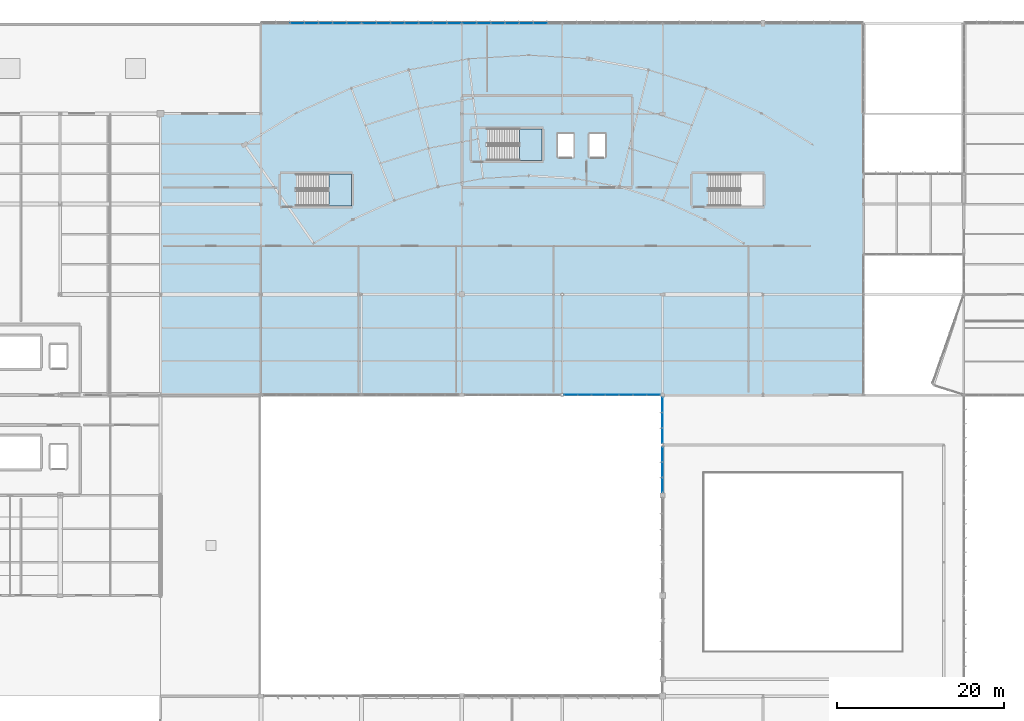
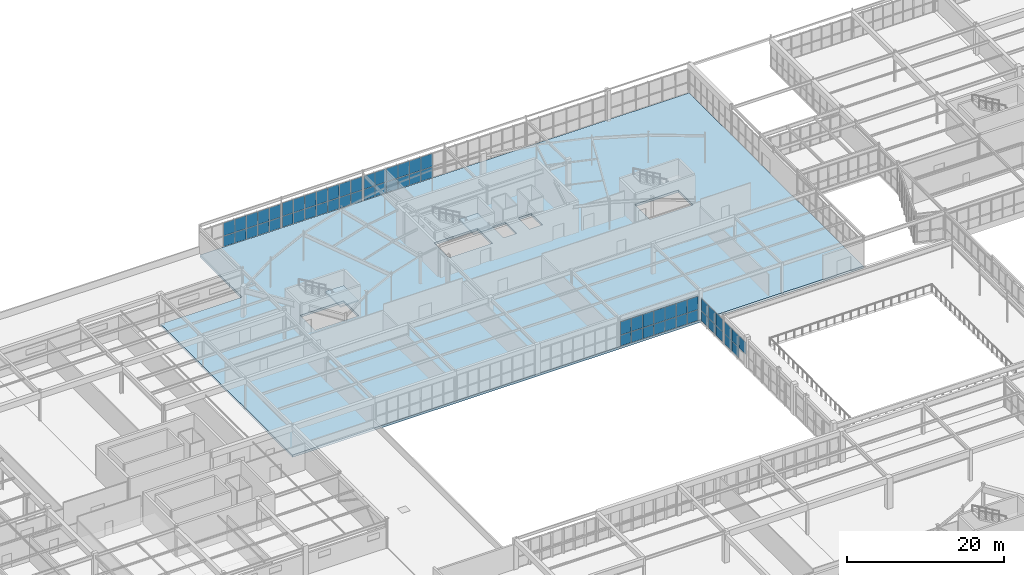
# One storey, part 117 of 186: 61 plates, 3 slabs, 8 elements without a shape of their own.
"""IFC4 building model written with IfcOpenShell, lengths in metres."""

import ifcopenshell
import ifcopenshell.guid

model = None  # the IFC model being written
_history = None  # IfcOwnerHistory: only IFC2X3 demands one
_inside = {}  # id of a spatial element -> (the spatial element, [elements in it])
_under = {}  # id of a project, library or spatial element -> (it, [spatial elements below it])
_declared = {}  # id of a project -> (the project, [libraries it declares])
_typed = {}  # id of a type object -> (the type object, [elements of that type])
_made_of = {}  # id of a material, layer set ... -> (it, [elements and type objects made of it])


def new_model(schema):
    """Start an empty IFC model of exactly this schema.

    Asked for "IFC4X3", IfcOpenShell would pick the latest addendum, in which some entities
    have other attributes; the version numbers below select the first issue.
    IFC2X3 requires an IfcOwnerHistory on every rooted entity: one is made here for all.
    """
    global model, _history
    if schema == "IFC4X3":
        model = ifcopenshell.file(schema_version=(4, 3, 0, 0))
    else:
        model = ifcopenshell.file(schema=schema)
    _inside.clear()
    _under.clear()
    _declared.clear()
    _typed.clear()
    _made_of.clear()
    _history = None
    if model.schema == "IFC2X3":
        org = make("IfcOrganization", Name="unknown")
        user = make(
            "IfcPersonAndOrganization",
            ThePerson=make("IfcPerson", FamilyName="unknown"),
            TheOrganization=org,
        )
        app = make(
            "IfcApplication",
            ApplicationDeveloper=org,
            Version="unknown",
            ApplicationFullName="unknown",
            ApplicationIdentifier="unknown",
        )
        _history = make(
            "IfcOwnerHistory",
            OwningUser=user,
            OwningApplication=app,
            ChangeAction="ADDED",
            CreationDate=0,
        )
    return model


def make(cls, **values):
    """One entity of the class cls with the attributes given. An attribute that is None is left unset."""
    return model.create_entity(
        cls, **{name: value for name, value in values.items() if value is not None}
    )


def rooted(cls, **values):
    """An entity with a GlobalId (a new one), such as an element, a storey or a relation."""
    return make(cls, GlobalId=ifcopenshell.guid.new(), OwnerHistory=_history, **values)


def si_unit(unit_type, name, prefix=None):
    """IfcSIUnit, for example si_unit("LENGTHUNIT", "METRE", prefix="MILLI")."""
    return make("IfcSIUnit", UnitType=unit_type, Prefix=prefix, Name=name)


def assignment(units):
    """IfcUnitAssignment: the units of a project."""
    return None if units is None else make("IfcUnitAssignment", Units=units)


def point(xyz):
    """IfcCartesianPoint."""
    return None if xyz is None else make("IfcCartesianPoint", Coordinates=xyz)


def direction(xyz):
    """IfcDirection."""
    return None if xyz is None else make("IfcDirection", DirectionRatios=xyz)


def frame(location, z_axis=None, x_axis=None):
    """IfcAxis2Placement3D, a coordinate frame: its origin and axes. An axis left out is left unset."""
    return make(
        "IfcAxis2Placement3D",
        Location=point(location),
        Axis=direction(z_axis),
        RefDirection=direction(x_axis),
    )


def frame_2d(location, x_axis=None):
    """IfcAxis2Placement2D, a coordinate frame in the plane: its origin and x axis."""
    return make(
        "IfcAxis2Placement2D", Location=point(location), RefDirection=direction(x_axis)
    )


def origin():
    """The frame at (0, 0, 0) with its axes left unset."""
    return frame((0.0, 0.0, 0.0))


def origin_2d():
    """The frame at (0, 0) in the plane with its x axis left unset."""
    return frame_2d((0.0, 0.0))


def place(relative_to, where):
    """IfcLocalPlacement: puts the frame where relative to a parent placement (None: the world)."""
    return make(
        "IfcLocalPlacement", PlacementRelTo=relative_to, RelativePlacement=where
    )


def context(
    kind, dimensions, precision=None, world=None, true_north=None, identifier=None
):
    """IfcGeometricRepresentationContext, for example the 3D "Model" context."""
    return make(
        "IfcGeometricRepresentationContext",
        ContextIdentifier=identifier,
        ContextType=kind,
        CoordinateSpaceDimension=dimensions,
        Precision=precision,
        WorldCoordinateSystem=world,
        TrueNorth=true_north,
    )


def subcontext(parent, identifier, kind, view, scale=None):
    """IfcGeometricRepresentationSubContext, for example "Body" below "Model"."""
    return make(
        "IfcGeometricRepresentationSubContext",
        ContextIdentifier=identifier,
        ContextType=kind,
        ParentContext=parent,
        TargetScale=scale,
        TargetView=view,
    )


def project(units=None, contexts=None):
    """IfcProject with its units and contexts."""
    return rooted(
        "IfcProject",
        Name="project",
        RepresentationContexts=contexts,
        UnitsInContext=assignment(units),
    )


def spatial(cls, under=None, at=None, **own):
    """A site, building, storey or space (cls), placed at a placement, below another one or the project."""
    s = rooted(cls, ObjectPlacement=at, **own)
    if under is not None:
        _under.setdefault(under.id(), (under, []))[1].append(s)
    return s


def polyline(points):
    """IfcPolyline through the points."""
    return make("IfcPolyline", Points=[point(p) for p in points])


def profile(cls, at=None, kind="AREA", **sizes):
    """A parametric profile (cls). Its sizes go by their IFC names, for example OverallWidth=200.0."""
    return make(cls, ProfileType=kind, Position=at, **sizes)


def rectangle(**sizes):
    """IfcRectangleProfileDef."""
    return profile("IfcRectangleProfileDef", **sizes)


def outline(outer, holes=None, kind="AREA"):
    """IfcArbitraryClosedProfileDef: a profile drawn as a closed curve; with holes, ...WithVoids."""
    if holes is None:
        return make("IfcArbitraryClosedProfileDef", ProfileType=kind, OuterCurve=outer)
    return make(
        "IfcArbitraryProfileDefWithVoids",
        ProfileType=kind,
        OuterCurve=outer,
        InnerCurves=holes,
    )


def extrude(swept, where, along, depth):
    """IfcExtrudedAreaSolid: the profile swept, set in the frame where, extruded along a direction by depth."""
    return make(
        "IfcExtrudedAreaSolid",
        SweptArea=swept,
        Position=where,
        ExtrudedDirection=direction(along),
        Depth=depth,
    )


def shape(context_of_items, identifier, shape_type, items):
    """IfcShapeRepresentation: the items that make up one representation, for example the "Body"."""
    return make(
        "IfcShapeRepresentation",
        ContextOfItems=context_of_items,
        RepresentationIdentifier=identifier,
        RepresentationType=shape_type,
        Items=items,
    )


def material(Name=None, Category=None):
    """IfcMaterial."""
    return make("IfcMaterial", Name=Name, Category=Category)


def layer(
    of_material, thickness, ventilated=None, Name=None, Category=None, Priority=None
):
    """IfcMaterialLayer: one layer of a wall or slab, of a material (None: an air gap)."""
    return make(
        "IfcMaterialLayer",
        Material=of_material,
        LayerThickness=thickness,
        IsVentilated=ventilated,
        Name=Name,
        Category=Category,
        Priority=Priority,
    )


def layer_set(layers, Name=None):
    """IfcMaterialLayerSet."""
    return make("IfcMaterialLayerSet", MaterialLayers=layers, LayerSetName=Name)


def made_of(thing, what):
    """Note that an element or type object is made of a material, layer set ...; save() writes the relation."""
    if what is not None:
        _made_of.setdefault(what.id(), (what, []))[1].append(thing)
    return thing


def type_object(cls, material=None, **own):
    """A type object (cls), such as IfcWallType, which elements share."""
    return made_of(rooted(cls, **own), material)


def element(
    cls,
    number,
    at=None,
    inside=None,
    cuts=None,
    type_object=None,
    material=None,
    context=None,
    identifier="Body",
    shape_type=None,
    held_by="IfcProductDefinitionShape",
    body=None,
    shapes=None,
    **own,
):
    """One element of the class cls, such as IfcWall. Its Tag is "e" and its number.

    at: its placement. inside: the storey or other place that contains it. cuts: it is an
    opening in that element (IfcRelVoidsElement). A single representation is given by context,
    identifier, shape_type and body (its items); several are given by shapes. held_by: the class
    of the entity that holds the representations. save() writes the other relations.
    """
    e = rooted(cls, Tag="e%d" % number, ObjectPlacement=at, **own)
    if body is not None:
        shapes = [shape(context, identifier, shape_type, body)]
    if shapes is not None:
        e.Representation = make(held_by, Representations=shapes)
    if inside is not None:
        _inside.setdefault(inside.id(), (inside, []))[1].append(e)
    if cuts is not None:
        rooted(
            "IfcRelVoidsElement", RelatingBuildingElement=cuts, RelatedOpeningElement=e
        )
    if type_object is not None:
        _typed.setdefault(type_object.id(), (type_object, []))[1].append(e)
    return made_of(e, material)


def aggregate(whole, parts):
    """IfcRelAggregates: a whole, such as a stair, and the parts it consists of."""
    return rooted("IfcRelAggregates", RelatingObject=whole, RelatedObjects=parts)


def save(model, path):
    """Write the relations noted so far, then the file.

    IfcRelAggregates (storeys below a building ...), IfcRelContainedInSpatialStructure (elements
    in a storey), IfcRelDefinesByType, IfcRelAssociatesMaterial and IfcRelDeclares: one each for
    every whole, place, type object, material and project.
    """
    for whole, parts in _under.values():
        aggregate(whole, parts)
    for where, things in _inside.values():
        rooted(
            "IfcRelContainedInSpatialStructure",
            RelatedElements=things,
            RelatingStructure=where,
        )
    for kind, things in _typed.values():
        rooted("IfcRelDefinesByType", RelatedObjects=things, RelatingType=kind)
    for what, things in _made_of.values():
        rooted("IfcRelAssociatesMaterial", RelatedObjects=things, RelatingMaterial=what)
    for by, libraries in _declared.values():
        rooted("IfcRelDeclares", RelatingContext=by, RelatedDefinitions=libraries)
    model.write(path)


model = new_model("IFC4")

# Units and contexts
model_context = context("Model", 3, precision=1e-05, world=origin(), true_north=direction((0.0, 1.0)))
body_context = subcontext(model_context, "Body", "Model", "MODEL_VIEW")
ifc_project = project(units=[si_unit("LENGTHUNIT", "METRE"), si_unit("AREAUNIT", "SQUARE_METRE"), si_unit("VOLUMEUNIT", "CUBIC_METRE"), si_unit("PLANEANGLEUNIT", "RADIAN"), si_unit("MASSUNIT", "GRAM", prefix="KILO")], contexts=[model_context])

# Site, building, storey
site_placement = place(None, origin())
site = spatial("IfcSite", under=ifc_project, at=site_placement, CompositionType="ELEMENT")
building_placement = place(site_placement, origin())
building = spatial("IfcBuilding", under=site, at=building_placement, Name="Tarnwether General Hospital", CompositionType="ELEMENT")
storey_placement = place(building_placement, frame((0.0, 0.0, 9.60009765625)))
storey = spatial("IfcBuildingStorey", under=building, at=storey_placement, Name="L02", CompositionType="ELEMENT", Elevation=9.60009765625)

# Curtain wall, plates
ifc_material_1 = material(Name="Anodised aluminium", Category="aluminium")
ifc_layer_1 = layer(ifc_material_1, 0.159912109375)
ifc_layer_set_1 = layer_set([ifc_layer_1], Name="Anodised aluminium")
curtain_wall_type_1 = type_object("IfcCurtainWallType", Name="CW-17", PredefinedType="NOTDEFINED", material=ifc_layer_set_1)
curtain_wall_1_placement = place(storey_placement, origin())
curtain_wall_1 = element("IfcCurtainWall", 1, at=curtain_wall_1_placement, inside=storey, type_object=curtain_wall_type_1, Name="Curtain Wall CWG-L02-601_1260-0403", PredefinedType="NOTDEFINED")
ifc_material_2 = material(Name="Double glazed low-E glass", Category="glass")
ifc_layer_2 = layer(ifc_material_2, 0.028076171875)
ifc_layer_set_2 = layer_set([ifc_layer_2], Name="Double glazed low-E glass")
plate_type = type_object("IfcPlateType", Name="PT-CWP1", PredefinedType="CURTAIN_PANEL", material=ifc_layer_set_2)
plate_1_placement = place(storey_placement, frame((64.32861328125, 126.0, 0.06005859375), z_axis=(0.0, 0.0, 1.0), x_axis=(1.0, 0.0, 0.0)))
plate_1 = element("IfcPlate", 2, at=plate_1_placement, type_object=plate_type, Name="CW-17 panel 3.1", PredefinedType="CURTAIN_PANEL", context=body_context, shape_type="SweptSolid", body=[
    extrude(rectangle(XDim=1.626220703125, YDim=0.028076171875, at=origin_2d()), origin(), (0.0, 0.0, 1.0), 1.625732421875),
])
plate_2_placement = place(storey_placement, frame((64.32861328125, 126.0, 1.74560546875), z_axis=(0.0, 0.0, 1.0), x_axis=(1.0, 0.0, 0.0)))
plate_2 = element("IfcPlate", 3, at=plate_2_placement, type_object=plate_type, Name="CW-17 panel 3.2", PredefinedType="CURTAIN_PANEL", context=body_context, shape_type="SweptSolid", body=[
    extrude(rectangle(XDim=1.626220703125, YDim=0.028076171875, at=origin_2d()), origin(), (0.0, 0.0, 1.0), 2.007080078125),
])
plate_3_placement = place(storey_placement, frame((66.014892578125, 126.0, 0.06005859375), z_axis=(0.0, 0.0, 1.0), x_axis=(1.0, 0.0, 0.0)))
plate_3 = element("IfcPlate", 4, at=plate_3_placement, type_object=plate_type, Name="CW-17 panel 4.1", PredefinedType="CURTAIN_PANEL", context=body_context, shape_type="SweptSolid", body=[
    extrude(rectangle(XDim=1.626220703125, YDim=0.028076171875, at=origin_2d()), origin(), (0.0, 0.0, 1.0), 1.625732421875),
])
plate_4_placement = place(storey_placement, frame((66.014892578125, 126.0, 1.74560546875), z_axis=(0.0, 0.0, 1.0), x_axis=(1.0, 0.0, 0.0)))
plate_4 = element("IfcPlate", 5, at=plate_4_placement, type_object=plate_type, Name="CW-17 panel 4.2", PredefinedType="CURTAIN_PANEL", context=body_context, shape_type="SweptSolid", body=[
    extrude(rectangle(XDim=1.626220703125, YDim=0.028076171875, at=origin_2d()), origin(), (0.0, 0.0, 1.0), 2.007080078125),
])
plate_5_placement = place(storey_placement, frame((67.701171875, 126.0, 0.06005859375), z_axis=(0.0, 0.0, 1.0), x_axis=(1.0, 0.0, 0.0)))
plate_5 = element("IfcPlate", 6, at=plate_5_placement, type_object=plate_type, Name="CW-17 panel 5.1", PredefinedType="CURTAIN_PANEL", context=body_context, shape_type="SweptSolid", body=[
    extrude(rectangle(XDim=1.626220703125, YDim=0.028076171875, at=origin_2d()), origin(), (0.0, 0.0, 1.0), 1.625732421875),
])
plate_6_placement = place(storey_placement, frame((67.701171875, 126.0, 1.74560546875), z_axis=(0.0, 0.0, 1.0), x_axis=(1.0, 0.0, 0.0)))
plate_6 = element("IfcPlate", 7, at=plate_6_placement, type_object=plate_type, Name="CW-17 panel 5.2", PredefinedType="CURTAIN_PANEL", context=body_context, shape_type="SweptSolid", body=[
    extrude(rectangle(XDim=1.626220703125, YDim=0.028076171875, at=origin_2d()), origin(), (0.0, 0.0, 1.0), 2.007080078125),
])
plate_7_placement = place(storey_placement, frame((69.387451171875, 126.0, 0.06005859375), z_axis=(0.0, 0.0, 1.0), x_axis=(1.0, 0.0, 0.0)))
plate_7 = element("IfcPlate", 8, at=plate_7_placement, type_object=plate_type, Name="CW-17 panel 6.1", PredefinedType="CURTAIN_PANEL", context=body_context, shape_type="SweptSolid", body=[
    extrude(rectangle(XDim=1.626220703125, YDim=0.028076171875, at=origin_2d()), origin(), (0.0, 0.0, 1.0), 1.625732421875),
])
plate_8_placement = place(storey_placement, frame((69.387451171875, 126.0, 1.74560546875), z_axis=(0.0, 0.0, 1.0), x_axis=(1.0, 0.0, 0.0)))
plate_8 = element("IfcPlate", 9, at=plate_8_placement, type_object=plate_type, Name="CW-17 panel 6.2", PredefinedType="CURTAIN_PANEL", context=body_context, shape_type="SweptSolid", body=[
    extrude(rectangle(XDim=1.626220703125, YDim=0.028076171875, at=origin_2d()), origin(), (0.0, 0.0, 1.0), 2.007080078125),
])
plate_9_placement = place(storey_placement, frame((71.058837890625, 126.0, 0.06005859375), z_axis=(0.0, 0.0, 1.0), x_axis=(1.0, 0.0, 0.0)))
plate_9 = element("IfcPlate", 10, at=plate_9_placement, type_object=plate_type, Name="CW-17 panel 7.1", PredefinedType="CURTAIN_PANEL", context=body_context, shape_type="SweptSolid", body=[
    extrude(rectangle(XDim=1.59619140625, YDim=0.028076171875, at=origin_2d()), origin(), (0.0, 0.0, 1.0), 1.625732421875),
])
plate_10_placement = place(storey_placement, frame((71.058837890625, 126.0, 1.74560546875), z_axis=(0.0, 0.0, 1.0), x_axis=(1.0, 0.0, 0.0)))
plate_10 = element("IfcPlate", 11, at=plate_10_placement, type_object=plate_type, Name="CW-17 panel 7.2", PredefinedType="CURTAIN_PANEL", context=body_context, shape_type="SweptSolid", body=[
    extrude(rectangle(XDim=1.59619140625, YDim=0.028076171875, at=origin_2d()), origin(), (0.0, 0.0, 1.0), 2.007080078125),
])
aggregate(curtain_wall_1, [plate_1, plate_2, plate_3, plate_4, plate_5, plate_6, plate_7, plate_8, plate_9, plate_10])

curtain_wall_2_placement = place(storey_placement, origin())
curtain_wall_2 = element("IfcCurtainWall", 12, at=curtain_wall_2_placement, inside=storey, type_object=curtain_wall_type_1, Name="Curtain Wall CWG-L02-721_1260-0404", PredefinedType="NOTDEFINED")
plate_11_placement = place(storey_placement, frame((72.943359375, 126.0, 0.059814453125), z_axis=(0.0, 0.0, 1.0), x_axis=(1.0, 0.0, 0.0)))
plate_11 = element("IfcPlate", 13, at=plate_11_placement, type_object=plate_type, Name="CW-17 panel 1.1", PredefinedType="CURTAIN_PANEL", context=body_context, shape_type="SweptSolid", body=[
    extrude(rectangle(XDim=1.6005859375, YDim=0.028076171875, at=origin_2d()), origin(), (0.0, 0.0, 1.0), 1.6591796875),
])
plate_12_placement = place(storey_placement, frame((72.943359375, 126.0, 1.779052734375), z_axis=(0.0, 0.0, 1.0), x_axis=(1.0, 0.0, 0.0)))
plate_12 = element("IfcPlate", 14, at=plate_12_placement, type_object=plate_type, Name="CW-17 panel 1.2", PredefinedType="CURTAIN_PANEL", context=body_context, shape_type="SweptSolid", body=[
    extrude(rectangle(XDim=1.6005859375, YDim=0.028076171875, at=origin_2d()), origin(), (0.0, 0.0, 1.0), 2.0478515625),
])
plate_13_placement = place(storey_placement, frame((74.618896484375, 126.0, 0.059814453125), z_axis=(0.0, 0.0, 1.0), x_axis=(1.0, 0.0, 0.0)))
plate_13 = element("IfcPlate", 15, at=plate_13_placement, type_object=plate_type, Name="CW-17 panel 2.1", PredefinedType="CURTAIN_PANEL", context=body_context, shape_type="SweptSolid", body=[
    extrude(rectangle(XDim=1.630615234375, YDim=0.028076171875, at=origin_2d()), origin(), (0.0, 0.0, 1.0), 1.6591796875),
])
plate_14_placement = place(storey_placement, frame((74.618896484375, 126.0, 1.779052734375), z_axis=(0.0, 0.0, 1.0), x_axis=(1.0, 0.0, 0.0)))
plate_14 = element("IfcPlate", 16, at=plate_14_placement, type_object=plate_type, Name="CW-17 panel 2.2", PredefinedType="CURTAIN_PANEL", context=body_context, shape_type="SweptSolid", body=[
    extrude(rectangle(XDim=1.630615234375, YDim=0.028076171875, at=origin_2d()), origin(), (0.0, 0.0, 1.0), 2.0478515625),
])
plate_15_placement = place(storey_placement, frame((76.309326171875, 126.0, 0.059814453125), z_axis=(0.0, 0.0, 1.0), x_axis=(1.0, 0.0, 0.0)))
plate_15 = element("IfcPlate", 17, at=plate_15_placement, type_object=plate_type, Name="CW-17 panel 3.1", PredefinedType="CURTAIN_PANEL", context=body_context, shape_type="SweptSolid", body=[
    extrude(rectangle(XDim=1.630615234375, YDim=0.028076171875, at=origin_2d()), origin(), (0.0, 0.0, 1.0), 1.6591796875),
])
plate_16_placement = place(storey_placement, frame((76.309326171875, 126.0, 1.779052734375), z_axis=(0.0, 0.0, 1.0), x_axis=(1.0, 0.0, 0.0)))
plate_16 = element("IfcPlate", 18, at=plate_16_placement, type_object=plate_type, Name="CW-17 panel 3.2", PredefinedType="CURTAIN_PANEL", context=body_context, shape_type="SweptSolid", body=[
    extrude(rectangle(XDim=1.630615234375, YDim=0.028076171875, at=origin_2d()), origin(), (0.0, 0.0, 1.0), 2.0478515625),
])
plate_17_placement = place(storey_placement, frame((78.0, 126.0, 0.059814453125), z_axis=(0.0, 0.0, 1.0), x_axis=(1.0, 0.0, 0.0)))
plate_17 = element("IfcPlate", 19, at=plate_17_placement, type_object=plate_type, Name="CW-17 panel 4.1", PredefinedType="CURTAIN_PANEL", context=body_context, shape_type="SweptSolid", body=[
    extrude(rectangle(XDim=1.630615234375, YDim=0.028076171875, at=origin_2d()), origin(), (0.0, 0.0, 1.0), 1.6591796875),
])
plate_18_placement = place(storey_placement, frame((78.0, 126.0, 1.779052734375), z_axis=(0.0, 0.0, 1.0), x_axis=(1.0, 0.0, 0.0)))
plate_18 = element("IfcPlate", 20, at=plate_18_placement, type_object=plate_type, Name="CW-17 panel 4.2", PredefinedType="CURTAIN_PANEL", context=body_context, shape_type="SweptSolid", body=[
    extrude(rectangle(XDim=1.630615234375, YDim=0.028076171875, at=origin_2d()), origin(), (0.0, 0.0, 1.0), 2.0478515625),
])
plate_19_placement = place(storey_placement, frame((79.690673828125, 126.0, 0.059814453125), z_axis=(0.0, 0.0, 1.0), x_axis=(1.0, 0.0, 0.0)))
plate_19 = element("IfcPlate", 21, at=plate_19_placement, type_object=plate_type, Name="CW-17 panel 5.1", PredefinedType="CURTAIN_PANEL", context=body_context, shape_type="SweptSolid", body=[
    extrude(rectangle(XDim=1.630615234375, YDim=0.028076171875, at=origin_2d()), origin(), (0.0, 0.0, 1.0), 1.6591796875),
])
plate_20_placement = place(storey_placement, frame((79.690673828125, 126.0, 1.779052734375), z_axis=(0.0, 0.0, 1.0), x_axis=(1.0, 0.0, 0.0)))
plate_20 = element("IfcPlate", 22, at=plate_20_placement, type_object=plate_type, Name="CW-17 panel 5.2", PredefinedType="CURTAIN_PANEL", context=body_context, shape_type="SweptSolid", body=[
    extrude(rectangle(XDim=1.630615234375, YDim=0.028076171875, at=origin_2d()), origin(), (0.0, 0.0, 1.0), 2.0478515625),
])
plate_21_placement = place(storey_placement, frame((81.381103515625, 126.0, 0.059814453125), z_axis=(0.0, 0.0, 1.0), x_axis=(1.0, 0.0, 0.0)))
plate_21 = element("IfcPlate", 23, at=plate_21_placement, type_object=plate_type, Name="CW-17 panel 6.1", PredefinedType="CURTAIN_PANEL", context=body_context, shape_type="SweptSolid", body=[
    extrude(rectangle(XDim=1.630615234375, YDim=0.028076171875, at=origin_2d()), origin(), (0.0, 0.0, 1.0), 1.6591796875),
])
plate_22_placement = place(storey_placement, frame((81.381103515625, 126.0, 1.779052734375), z_axis=(0.0, 0.0, 1.0), x_axis=(1.0, 0.0, 0.0)))
plate_22 = element("IfcPlate", 24, at=plate_22_placement, type_object=plate_type, Name="CW-17 panel 6.2", PredefinedType="CURTAIN_PANEL", context=body_context, shape_type="SweptSolid", body=[
    extrude(rectangle(XDim=1.630615234375, YDim=0.028076171875, at=origin_2d()), origin(), (0.0, 0.0, 1.0), 2.0478515625),
])
plate_23_placement = place(storey_placement, frame((83.056640625, 126.0, 0.059814453125), z_axis=(0.0, 0.0, 1.0), x_axis=(1.0, 0.0, 0.0)))
plate_23 = element("IfcPlate", 25, at=plate_23_placement, type_object=plate_type, Name="CW-17 panel 7.1", PredefinedType="CURTAIN_PANEL", context=body_context, shape_type="SweptSolid", body=[
    extrude(rectangle(XDim=1.6005859375, YDim=0.028076171875, at=origin_2d()), origin(), (0.0, 0.0, 1.0), 1.6591796875),
])
plate_24_placement = place(storey_placement, frame((83.056640625, 126.0, 1.779052734375), z_axis=(0.0, 0.0, 1.0), x_axis=(1.0, 0.0, 0.0)))
plate_24 = element("IfcPlate", 26, at=plate_24_placement, type_object=plate_type, Name="CW-17 panel 7.2", PredefinedType="CURTAIN_PANEL", context=body_context, shape_type="SweptSolid", body=[
    extrude(rectangle(XDim=1.6005859375, YDim=0.028076171875, at=origin_2d()), origin(), (0.0, 0.0, 1.0), 2.0478515625),
])
aggregate(curtain_wall_2, [plate_11, plate_12, plate_13, plate_14, plate_15, plate_16, plate_17, plate_18, plate_19, plate_20, plate_21, plate_22, plate_23, plate_24])

curtain_wall_3_placement = place(storey_placement, origin())
curtain_wall_3 = element("IfcCurtainWall", 27, at=curtain_wall_3_placement, inside=storey, type_object=curtain_wall_type_1, Name="Curtain Wall CWG-L02-841_1260-0405", PredefinedType="NOTDEFINED")
plate_25_placement = place(storey_placement, frame((84.943115234375, 126.0, 0.059814453125), z_axis=(0.0, 0.0, 1.0), x_axis=(1.0, 0.0, 0.0)))
plate_25 = element("IfcPlate", 28, at=plate_25_placement, type_object=plate_type, Name="CW-17 panel 1.1", PredefinedType="CURTAIN_PANEL", context=body_context, shape_type="SweptSolid", body=[
    extrude(rectangle(XDim=1.600341796875, YDim=0.028076171875, at=origin_2d()), origin(), (0.0, 0.0, 1.0), 1.6591796875),
])
plate_26_placement = place(storey_placement, frame((84.943115234375, 126.0, 1.779052734375), z_axis=(0.0, 0.0, 1.0), x_axis=(1.0, 0.0, 0.0)))
plate_26 = element("IfcPlate", 29, at=plate_26_placement, type_object=plate_type, Name="CW-17 panel 1.2", PredefinedType="CURTAIN_PANEL", context=body_context, shape_type="SweptSolid", body=[
    extrude(rectangle(XDim=1.600341796875, YDim=0.028076171875, at=origin_2d()), origin(), (0.0, 0.0, 1.0), 2.0478515625),
])
plate_27_placement = place(storey_placement, frame((86.61865234375, 126.0, 0.059814453125), z_axis=(0.0, 0.0, 1.0), x_axis=(1.0, 0.0, 0.0)))
plate_27 = element("IfcPlate", 30, at=plate_27_placement, type_object=plate_type, Name="CW-17 panel 2.1", PredefinedType="CURTAIN_PANEL", context=body_context, shape_type="SweptSolid", body=[
    extrude(rectangle(XDim=1.63037109375, YDim=0.028076171875, at=origin_2d()), origin(), (0.0, 0.0, 1.0), 1.6591796875),
])
plate_28_placement = place(storey_placement, frame((86.61865234375, 126.0, 1.779052734375), z_axis=(0.0, 0.0, 1.0), x_axis=(1.0, 0.0, 0.0)))
plate_28 = element("IfcPlate", 31, at=plate_28_placement, type_object=plate_type, Name="CW-17 panel 2.2", PredefinedType="CURTAIN_PANEL", context=body_context, shape_type="SweptSolid", body=[
    extrude(rectangle(XDim=1.63037109375, YDim=0.028076171875, at=origin_2d()), origin(), (0.0, 0.0, 1.0), 2.0478515625),
])
plate_29_placement = place(storey_placement, frame((88.30908203125, 126.0, 0.059814453125), z_axis=(0.0, 0.0, 1.0), x_axis=(1.0, 0.0, 0.0)))
plate_29 = element("IfcPlate", 32, at=plate_29_placement, type_object=plate_type, Name="CW-17 panel 3.1", PredefinedType="CURTAIN_PANEL", context=body_context, shape_type="SweptSolid", body=[
    extrude(rectangle(XDim=1.63037109375, YDim=0.028076171875, at=origin_2d()), origin(), (0.0, 0.0, 1.0), 1.6591796875),
])
plate_30_placement = place(storey_placement, frame((88.30908203125, 126.0, 1.779052734375), z_axis=(0.0, 0.0, 1.0), x_axis=(1.0, 0.0, 0.0)))
plate_30 = element("IfcPlate", 33, at=plate_30_placement, type_object=plate_type, Name="CW-17 panel 3.2", PredefinedType="CURTAIN_PANEL", context=body_context, shape_type="SweptSolid", body=[
    extrude(rectangle(XDim=1.63037109375, YDim=0.028076171875, at=origin_2d()), origin(), (0.0, 0.0, 1.0), 2.0478515625),
])
plate_31_placement = place(storey_placement, frame((89.99951171875, 126.0, 0.059814453125), z_axis=(0.0, 0.0, 1.0), x_axis=(1.0, 0.0, 0.0)))
plate_31 = element("IfcPlate", 34, at=plate_31_placement, type_object=plate_type, Name="CW-17 panel 4.1", PredefinedType="CURTAIN_PANEL", context=body_context, shape_type="SweptSolid", body=[
    extrude(rectangle(XDim=1.63037109375, YDim=0.028076171875, at=origin_2d()), origin(), (0.0, 0.0, 1.0), 1.6591796875),
])
plate_32_placement = place(storey_placement, frame((89.99951171875, 126.0, 1.779052734375), z_axis=(0.0, 0.0, 1.0), x_axis=(1.0, 0.0, 0.0)))
plate_32 = element("IfcPlate", 35, at=plate_32_placement, type_object=plate_type, Name="CW-17 panel 4.2", PredefinedType="CURTAIN_PANEL", context=body_context, shape_type="SweptSolid", body=[
    extrude(rectangle(XDim=1.63037109375, YDim=0.028076171875, at=origin_2d()), origin(), (0.0, 0.0, 1.0), 2.0478515625),
])
plate_33_placement = place(storey_placement, frame((91.68994140625, 126.0, 0.059814453125), z_axis=(0.0, 0.0, 1.0), x_axis=(1.0, 0.0, 0.0)))
plate_33 = element("IfcPlate", 36, at=plate_33_placement, type_object=plate_type, Name="CW-17 panel 5.1", PredefinedType="CURTAIN_PANEL", context=body_context, shape_type="SweptSolid", body=[
    extrude(rectangle(XDim=1.63037109375, YDim=0.028076171875, at=origin_2d()), origin(), (0.0, 0.0, 1.0), 1.6591796875),
])
plate_34_placement = place(storey_placement, frame((91.68994140625, 126.0, 1.779052734375), z_axis=(0.0, 0.0, 1.0), x_axis=(1.0, 0.0, 0.0)))
plate_34 = element("IfcPlate", 37, at=plate_34_placement, type_object=plate_type, Name="CW-17 panel 5.2", PredefinedType="CURTAIN_PANEL", context=body_context, shape_type="SweptSolid", body=[
    extrude(rectangle(XDim=1.63037109375, YDim=0.028076171875, at=origin_2d()), origin(), (0.0, 0.0, 1.0), 2.0478515625),
])
plate_35_placement = place(storey_placement, frame((93.38037109375, 126.0, 0.059814453125), z_axis=(0.0, 0.0, 1.0), x_axis=(1.0, 0.0, 0.0)))
plate_35 = element("IfcPlate", 38, at=plate_35_placement, type_object=plate_type, Name="CW-17 panel 6.1", PredefinedType="CURTAIN_PANEL", context=body_context, shape_type="SweptSolid", body=[
    extrude(rectangle(XDim=1.63037109375, YDim=0.028076171875, at=origin_2d()), origin(), (0.0, 0.0, 1.0), 1.6591796875),
])
plate_36_placement = place(storey_placement, frame((93.38037109375, 126.0, 1.779052734375), z_axis=(0.0, 0.0, 1.0), x_axis=(1.0, 0.0, 0.0)))
plate_36 = element("IfcPlate", 39, at=plate_36_placement, type_object=plate_type, Name="CW-17 panel 6.2", PredefinedType="CURTAIN_PANEL", context=body_context, shape_type="SweptSolid", body=[
    extrude(rectangle(XDim=1.63037109375, YDim=0.028076171875, at=origin_2d()), origin(), (0.0, 0.0, 1.0), 2.0478515625),
])
aggregate(curtain_wall_3, [plate_25, plate_26, plate_27, plate_28, plate_29, plate_30, plate_31, plate_32, plate_33, plate_34, plate_35, plate_36])

ifc_material_3 = material(Name="Anodised aluminium", Category="aluminium")
ifc_layer_3 = layer(ifc_material_3, 0.179931640625)
ifc_layer_set_3 = layer_set([ifc_layer_3], Name="Anodised aluminium")
curtain_wall_type_2 = type_object("IfcCurtainWallType", Name="CW-07", PredefinedType="NOTDEFINED", material=ifc_layer_set_3)
curtain_wall_4_placement = place(storey_placement, origin())
curtain_wall_4 = element("IfcCurtainWall", 40, at=curtain_wall_4_placement, inside=storey, type_object=curtain_wall_type_2, Name="Curtain Wall CWG-L02-1080_699-0424", PredefinedType="NOTDEFINED")
plate_37_placement = place(storey_placement, frame((108.0, 70.84033203125, 1.65673828125), z_axis=(0.0, 0.0, 1.0), x_axis=(0.0, 1.0, 0.0)))
plate_37 = element("IfcPlate", 41, at=plate_37_placement, type_object=plate_type, Name="CW-07 panel 1.2", PredefinedType="CURTAIN_PANEL", context=body_context, shape_type="SweptSolid", body=[
    extrude(rectangle(XDim=1.74462890625, YDim=0.028076171875, at=origin_2d()), origin(), (0.0, 0.0, 1.0), 1.898193359375),
])
plate_38_placement = place(storey_placement, frame((108.0, 72.659912109375, 0.06005859375), z_axis=(0.0, 0.0, 1.0), x_axis=(0.0, 1.0, 0.0)))
plate_38 = element("IfcPlate", 42, at=plate_38_placement, type_object=plate_type, Name="CW-07 panel 2.1", PredefinedType="CURTAIN_PANEL", context=body_context, shape_type="SweptSolid", body=[
    extrude(rectangle(XDim=1.774658203125, YDim=0.028076171875, at=origin_2d()), origin(), (0.0, 0.0, 1.0), 1.53662109375),
])
plate_39_placement = place(storey_placement, frame((108.0, 72.659912109375, 1.65673828125), z_axis=(0.0, 0.0, 1.0), x_axis=(0.0, 1.0, 0.0)))
plate_39 = element("IfcPlate", 43, at=plate_39_placement, type_object=plate_type, Name="CW-07 panel 2.2", PredefinedType="CURTAIN_PANEL", context=body_context, shape_type="SweptSolid", body=[
    extrude(rectangle(XDim=1.774658203125, YDim=0.028076171875, at=origin_2d()), origin(), (0.0, 0.0, 1.0), 1.898193359375),
])
plate_40_placement = place(storey_placement, frame((108.0, 74.479736328125, 0.06005859375), z_axis=(0.0, 0.0, 1.0), x_axis=(0.0, 1.0, 0.0)))
plate_40 = element("IfcPlate", 44, at=plate_40_placement, type_object=plate_type, Name="CW-07 panel 3.1", PredefinedType="CURTAIN_PANEL", context=body_context, shape_type="SweptSolid", body=[
    extrude(rectangle(XDim=1.74462890625, YDim=0.028076171875, at=origin_2d()), origin(), (0.0, 0.0, 1.0), 1.53662109375),
])
plate_41_placement = place(storey_placement, frame((108.0, 74.479736328125, 1.65673828125), z_axis=(0.0, 0.0, 1.0), x_axis=(0.0, 1.0, 0.0)))
plate_41 = element("IfcPlate", 45, at=plate_41_placement, type_object=plate_type, Name="CW-07 panel 3.2", PredefinedType="CURTAIN_PANEL", context=body_context, shape_type="SweptSolid", body=[
    extrude(rectangle(XDim=1.74462890625, YDim=0.028076171875, at=origin_2d()), origin(), (0.0, 0.0, 1.0), 1.898193359375),
])
aggregate(curtain_wall_4, [plate_37, plate_38, plate_39, plate_40, plate_41])

curtain_wall_5_placement = place(storey_placement, origin())
curtain_wall_5 = element("IfcCurtainWall", 46, at=curtain_wall_5_placement, inside=storey, type_object=curtain_wall_type_2, Name="Curtain Wall CWG-L02-1080_758-0425", PredefinedType="NOTDEFINED")
plate_42_placement = place(storey_placement, frame((108.0, 76.728759765625, 0.06005859375), z_axis=(0.0, 0.0, 1.0), x_axis=(0.0, 1.0, 0.0)))
plate_42 = element("IfcPlate", 47, at=plate_42_placement, type_object=plate_type, Name="CW-07 panel 1.1", PredefinedType="CURTAIN_PANEL", context=body_context, shape_type="SweptSolid", body=[
    extrude(rectangle(XDim=1.76123046875, YDim=0.028076171875, at=origin_2d()), origin(), (0.0, 0.0, 1.0), 1.53662109375),
])
plate_43_placement = place(storey_placement, frame((108.0, 76.728759765625, 1.65673828125), z_axis=(0.0, 0.0, 1.0), x_axis=(0.0, 1.0, 0.0)))
plate_43 = element("IfcPlate", 48, at=plate_43_placement, type_object=plate_type, Name="CW-07 panel 1.2", PredefinedType="CURTAIN_PANEL", context=body_context, shape_type="SweptSolid", body=[
    extrude(rectangle(XDim=1.76123046875, YDim=0.028076171875, at=origin_2d()), origin(), (0.0, 0.0, 1.0), 1.898193359375),
])
plate_44_placement = place(storey_placement, frame((108.0, 78.56494140625, 0.06005859375), z_axis=(0.0, 0.0, 1.0), x_axis=(0.0, 1.0, 0.0)))
plate_44 = element("IfcPlate", 49, at=plate_44_placement, type_object=plate_type, Name="CW-07 panel 2.1", PredefinedType="CURTAIN_PANEL", context=body_context, shape_type="SweptSolid", body=[
    extrude(rectangle(XDim=1.791259765625, YDim=0.028076171875, at=origin_2d()), origin(), (0.0, 0.0, 1.0), 1.53662109375),
])
plate_45_placement = place(storey_placement, frame((108.0, 78.56494140625, 1.65673828125), z_axis=(0.0, 0.0, 1.0), x_axis=(0.0, 1.0, 0.0)))
plate_45 = element("IfcPlate", 50, at=plate_45_placement, type_object=plate_type, Name="CW-07 panel 2.2", PredefinedType="CURTAIN_PANEL", context=body_context, shape_type="SweptSolid", body=[
    extrude(rectangle(XDim=1.791259765625, YDim=0.028076171875, at=origin_2d()), origin(), (0.0, 0.0, 1.0), 1.898193359375),
])
plate_46_placement = place(storey_placement, frame((108.0, 80.4013671875, 0.06005859375), z_axis=(0.0, 0.0, 1.0), x_axis=(0.0, 1.0, 0.0)))
plate_46 = element("IfcPlate", 51, at=plate_46_placement, type_object=plate_type, Name="CW-07 panel 3.1", PredefinedType="CURTAIN_PANEL", context=body_context, shape_type="SweptSolid", body=[
    extrude(rectangle(XDim=1.76123046875, YDim=0.028076171875, at=origin_2d()), origin(), (0.0, 0.0, 1.0), 1.53662109375),
])
plate_47_placement = place(storey_placement, frame((108.0, 80.4013671875, 1.65673828125), z_axis=(0.0, 0.0, 1.0), x_axis=(0.0, 1.0, 0.0)))
plate_47 = element("IfcPlate", 52, at=plate_47_placement, type_object=plate_type, Name="CW-07 panel 3.2", PredefinedType="CURTAIN_PANEL", context=body_context, shape_type="SweptSolid", body=[
    extrude(rectangle(XDim=1.76123046875, YDim=0.028076171875, at=origin_2d()), origin(), (0.0, 0.0, 1.0), 1.898193359375),
])
aggregate(curtain_wall_5, [plate_42, plate_43, plate_44, plate_45, plate_46, plate_47])

ifc_material_4 = material(Name="Anodised aluminium", Category="aluminium")
ifc_layer_4 = layer(ifc_material_4, 0.159912109375)
ifc_layer_set_4 = layer_set([ifc_layer_4], Name="Anodised aluminium")
curtain_wall_type_3 = type_object("IfcCurtainWallType", Name="CW-23", PredefinedType="NOTDEFINED", material=ifc_layer_set_4)
curtain_wall_6_placement = place(storey_placement, origin())
curtain_wall_6 = element("IfcCurtainWall", 53, at=curtain_wall_6_placement, inside=storey, type_object=curtain_wall_type_3, Name="Curtain Wall CWG-L02-962_816-0429", PredefinedType="NOTDEFINED")
plate_48_placement = place(storey_placement, frame((97.049560546875, 81.60009765625, 0.06005859375), z_axis=(0.0, 0.0, 1.0), x_axis=(1.0, 0.0, 0.0)))
plate_48 = element("IfcPlate", 54, at=plate_48_placement, type_object=plate_type, Name="CW-23 panel 1.1", PredefinedType="CURTAIN_PANEL", context=body_context, shape_type="SweptSolid", body=[
    extrude(rectangle(XDim=1.557373046875, YDim=0.028076171875, at=origin_2d()), origin(), (0.0, 0.0, 1.0), 1.658203125),
])
plate_49_placement = place(storey_placement, frame((97.049560546875, 81.60009765625, 1.7783203125), z_axis=(0.0, 0.0, 1.0), x_axis=(1.0, 0.0, 0.0)))
plate_49 = element("IfcPlate", 55, at=plate_49_placement, type_object=plate_type, Name="CW-23 panel 1.2", PredefinedType="CURTAIN_PANEL", context=body_context, shape_type="SweptSolid", body=[
    extrude(rectangle(XDim=1.557373046875, YDim=0.028076171875, at=origin_2d()), origin(), (0.0, 0.0, 1.0), 2.046630859375),
])
plate_50_placement = place(storey_placement, frame((98.681884765625, 81.60009765625, 0.06005859375), z_axis=(0.0, 0.0, 1.0), x_axis=(1.0, 0.0, 0.0)))
plate_50 = element("IfcPlate", 56, at=plate_50_placement, type_object=plate_type, Name="CW-23 panel 2.1", PredefinedType="CURTAIN_PANEL", context=body_context, shape_type="SweptSolid", body=[
    extrude(rectangle(XDim=1.58740234375, YDim=0.028076171875, at=origin_2d()), origin(), (0.0, 0.0, 1.0), 1.658203125),
])
plate_51_placement = place(storey_placement, frame((98.681884765625, 81.60009765625, 1.7783203125), z_axis=(0.0, 0.0, 1.0), x_axis=(1.0, 0.0, 0.0)))
plate_51 = element("IfcPlate", 57, at=plate_51_placement, type_object=plate_type, Name="CW-23 panel 2.2", PredefinedType="CURTAIN_PANEL", context=body_context, shape_type="SweptSolid", body=[
    extrude(rectangle(XDim=1.58740234375, YDim=0.028076171875, at=origin_2d()), origin(), (0.0, 0.0, 1.0), 2.046630859375),
])
plate_52_placement = place(storey_placement, frame((100.3291015625, 81.60009765625, 0.06005859375), z_axis=(0.0, 0.0, 1.0), x_axis=(1.0, 0.0, 0.0)))
plate_52 = element("IfcPlate", 58, at=plate_52_placement, type_object=plate_type, Name="CW-23 panel 3.1", PredefinedType="CURTAIN_PANEL", context=body_context, shape_type="SweptSolid", body=[
    extrude(rectangle(XDim=1.58740234375, YDim=0.028076171875, at=origin_2d()), origin(), (0.0, 0.0, 1.0), 1.658203125),
])
plate_53_placement = place(storey_placement, frame((100.3291015625, 81.60009765625, 1.7783203125), z_axis=(0.0, 0.0, 1.0), x_axis=(1.0, 0.0, 0.0)))
plate_53 = element("IfcPlate", 59, at=plate_53_placement, type_object=plate_type, Name="CW-23 panel 3.2", PredefinedType="CURTAIN_PANEL", context=body_context, shape_type="SweptSolid", body=[
    extrude(rectangle(XDim=1.58740234375, YDim=0.028076171875, at=origin_2d()), origin(), (0.0, 0.0, 1.0), 2.046630859375),
])
plate_54_placement = place(storey_placement, frame((101.9765625, 81.60009765625, 0.06005859375), z_axis=(0.0, 0.0, 1.0), x_axis=(1.0, 0.0, 0.0)))
plate_54 = element("IfcPlate", 60, at=plate_54_placement, type_object=plate_type, Name="CW-23 panel 4.1", PredefinedType="CURTAIN_PANEL", context=body_context, shape_type="SweptSolid", body=[
    extrude(rectangle(XDim=1.58740234375, YDim=0.028076171875, at=origin_2d()), origin(), (0.0, 0.0, 1.0), 1.658203125),
])
plate_55_placement = place(storey_placement, frame((101.9765625, 81.60009765625, 1.7783203125), z_axis=(0.0, 0.0, 1.0), x_axis=(1.0, 0.0, 0.0)))
plate_55 = element("IfcPlate", 61, at=plate_55_placement, type_object=plate_type, Name="CW-23 panel 4.2", PredefinedType="CURTAIN_PANEL", context=body_context, shape_type="SweptSolid", body=[
    extrude(rectangle(XDim=1.58740234375, YDim=0.028076171875, at=origin_2d()), origin(), (0.0, 0.0, 1.0), 2.046630859375),
])
plate_56_placement = place(storey_placement, frame((103.623779296875, 81.60009765625, 0.06005859375), z_axis=(0.0, 0.0, 1.0), x_axis=(1.0, 0.0, 0.0)))
plate_56 = element("IfcPlate", 62, at=plate_56_placement, type_object=plate_type, Name="CW-23 panel 5.1", PredefinedType="CURTAIN_PANEL", context=body_context, shape_type="SweptSolid", body=[
    extrude(rectangle(XDim=1.58740234375, YDim=0.028076171875, at=origin_2d()), origin(), (0.0, 0.0, 1.0), 1.658203125),
])
plate_57_placement = place(storey_placement, frame((103.623779296875, 81.60009765625, 1.7783203125), z_axis=(0.0, 0.0, 1.0), x_axis=(1.0, 0.0, 0.0)))
plate_57 = element("IfcPlate", 63, at=plate_57_placement, type_object=plate_type, Name="CW-23 panel 5.2", PredefinedType="CURTAIN_PANEL", context=body_context, shape_type="SweptSolid", body=[
    extrude(rectangle(XDim=1.58740234375, YDim=0.028076171875, at=origin_2d()), origin(), (0.0, 0.0, 1.0), 2.046630859375),
])
plate_58_placement = place(storey_placement, frame((105.27099609375, 81.60009765625, 0.06005859375), z_axis=(0.0, 0.0, 1.0), x_axis=(1.0, 0.0, 0.0)))
plate_58 = element("IfcPlate", 64, at=plate_58_placement, type_object=plate_type, Name="CW-23 panel 6.1", PredefinedType="CURTAIN_PANEL", context=body_context, shape_type="SweptSolid", body=[
    extrude(rectangle(XDim=1.58740234375, YDim=0.028076171875, at=origin_2d()), origin(), (0.0, 0.0, 1.0), 1.658203125),
])
plate_59_placement = place(storey_placement, frame((105.27099609375, 81.60009765625, 1.7783203125), z_axis=(0.0, 0.0, 1.0), x_axis=(1.0, 0.0, 0.0)))
plate_59 = element("IfcPlate", 65, at=plate_59_placement, type_object=plate_type, Name="CW-23 panel 6.2", PredefinedType="CURTAIN_PANEL", context=body_context, shape_type="SweptSolid", body=[
    extrude(rectangle(XDim=1.58740234375, YDim=0.028076171875, at=origin_2d()), origin(), (0.0, 0.0, 1.0), 2.046630859375),
])
plate_60_placement = place(storey_placement, frame((106.9033203125, 81.60009765625, 0.06005859375), z_axis=(0.0, 0.0, 1.0), x_axis=(1.0, 0.0, 0.0)))
plate_60 = element("IfcPlate", 66, at=plate_60_placement, type_object=plate_type, Name="CW-23 panel 7.1", PredefinedType="CURTAIN_PANEL", context=body_context, shape_type="SweptSolid", body=[
    extrude(rectangle(XDim=1.557373046875, YDim=0.028076171875, at=origin_2d()), origin(), (0.0, 0.0, 1.0), 1.658203125),
])
plate_61_placement = place(storey_placement, frame((106.9033203125, 81.60009765625, 1.7783203125), z_axis=(0.0, 0.0, 1.0), x_axis=(1.0, 0.0, 0.0)))
plate_61 = element("IfcPlate", 67, at=plate_61_placement, type_object=plate_type, Name="CW-23 panel 7.2", PredefinedType="CURTAIN_PANEL", context=body_context, shape_type="SweptSolid", body=[
    extrude(rectangle(XDim=1.557373046875, YDim=0.028076171875, at=origin_2d()), origin(), (0.0, 0.0, 1.0), 2.046630859375),
])
aggregate(curtain_wall_6, [plate_48, plate_49, plate_50, plate_51, plate_52, plate_53, plate_54, plate_55, plate_56, plate_57, plate_58, plate_59, plate_60, plate_61])

# Slab
ifc_material_5 = material(Name="Concrete 40 MPa", Category="concrete")
ifc_layer_5 = layer(ifc_material_5, 0.35498046875)
ifc_layer_set_5 = layer_set([ifc_layer_5], Name="Concrete 40 MPa")
slab_type_1 = type_object("IfcSlabType", Name="SL-FL220", PredefinedType="FLOOR", material=ifc_layer_set_5)
slab_1_placement = place(storey_placement, frame((0.0, 0.0, -0.35498046875)))
element("IfcSlab", 68, at=slab_1_placement, inside=storey, type_object=slab_type_1, Name="L02 Perioperative North Floor SL-L02-V4N", PredefinedType="FLOOR", context=body_context, shape_type="SweptSolid", body=[
    extrude(outline(polyline([(132.0, 81.60009765625), (48.0, 81.60009765625), (48.0, 115.199951171875), (60.0, 115.199951171875), (60.0, 126.0), (132.0, 126.0), (132.0, 81.60009765625)]), holes=[polyline([(70.800048828125, 108.0), (64.3798828125, 108.0), (64.3798828125, 104.199951171875), (70.800048828125, 104.199951171875), (70.800048828125, 108.0)]), polyline([(97.3798828125, 109.969970703125), (97.3798828125, 112.830078125), (95.419921875, 112.830078125), (95.419921875, 109.969970703125), (97.3798828125, 109.969970703125)]), polyline([(93.60009765625, 109.60009765625), (93.60009765625, 113.39990234375), (87.179931640625, 113.39990234375), (87.179931640625, 109.60009765625), (93.60009765625, 109.60009765625)]), polyline([(120.0, 104.199951171875), (120.0, 108.0), (113.580078125, 108.0), (113.580078125, 104.199951171875), (120.0, 104.199951171875)]), polyline([(101.179931640625, 109.969970703125), (101.179931640625, 112.830078125), (99.219970703125, 112.830078125), (99.219970703125, 109.969970703125), (101.179931640625, 109.969970703125)])]), origin(), (0.0, 0.0, 1.0), 0.35498046875),
])

# Stair, slab
ifc_material_6 = material(Name="Concrete 40 MPa", Category="concrete")
stair_type = type_object("IfcStairType", Name="ST-DL48A", PredefinedType="HALF_TURN_STAIR", material=ifc_material_6)
stair_1_placement = place(storey_placement, origin())
stair_1 = element("IfcStair", 69, at=stair_1_placement, inside=storey, type_object=stair_type, Name="L02 Exit Stair ST-01", PredefinedType="HALF_TURN_STAIR")
ifc_material_7 = material(Name="Concrete 40 MPa", Category="concrete")
ifc_layer_6 = layer(ifc_material_7, 0.199951171875)
ifc_layer_set_6 = layer_set([ifc_layer_6], Name="Concrete 40 MPa")
slab_type_2 = type_object("IfcSlabType", Name="SL-LD200", PredefinedType="LANDING", material=ifc_layer_set_6)
slab_2_placement = place(storey_placement, frame((0.0, 0.0, 2.199951171875)))
slab_2 = element("IfcSlab", 70, at=slab_2_placement, type_object=slab_type_2, Name="ST-01 landing 1", PredefinedType="LANDING", context=body_context, shape_type="SweptSolid", body=[
    extrude(outline(polyline([(90.89990234375, 109.60009765625), (93.60009765625, 109.60009765625), (93.60009765625, 113.39990234375), (90.89990234375, 113.39990234375), (90.89990234375, 109.60009765625)])), origin(), (0.0, 0.0, 1.0), 0.199951171875),
])
aggregate(stair_1, [slab_2])

stair_2_placement = place(storey_placement, origin())
stair_2 = element("IfcStair", 71, at=stair_2_placement, inside=storey, type_object=stair_type, Name="L02 Exit Stair ST-07", PredefinedType="HALF_TURN_STAIR")
slab_3_placement = place(storey_placement, frame((0.0, 0.0, 2.199951171875)))
slab_3 = element("IfcSlab", 72, at=slab_3_placement, type_object=slab_type_2, Name="ST-07 landing 1", PredefinedType="LANDING", context=body_context, shape_type="SweptSolid", body=[
    extrude(outline(polyline([(68.10009765625, 104.199951171875), (70.800048828125, 104.199951171875), (70.800048828125, 108.0), (68.10009765625, 108.0), (68.10009765625, 104.199951171875)])), origin(), (0.0, 0.0, 1.0), 0.199951171875),
])
aggregate(stair_2, [slab_3])

save(model, "model.ifc")
